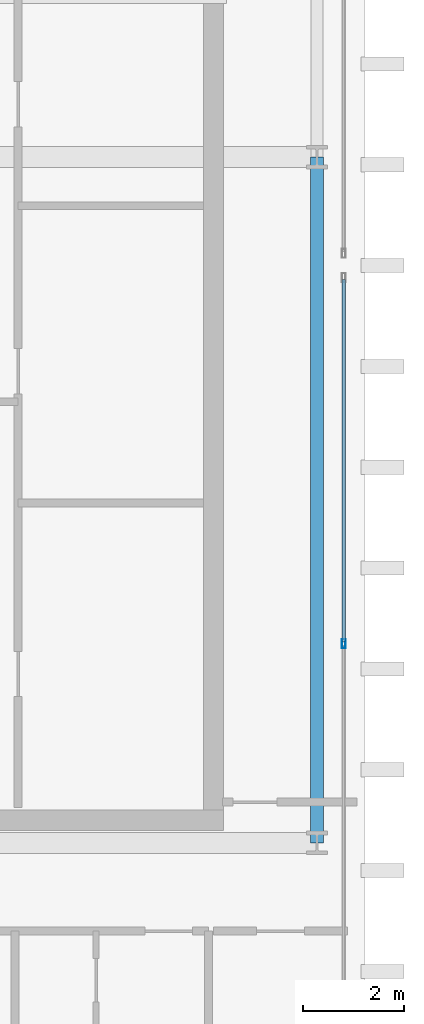
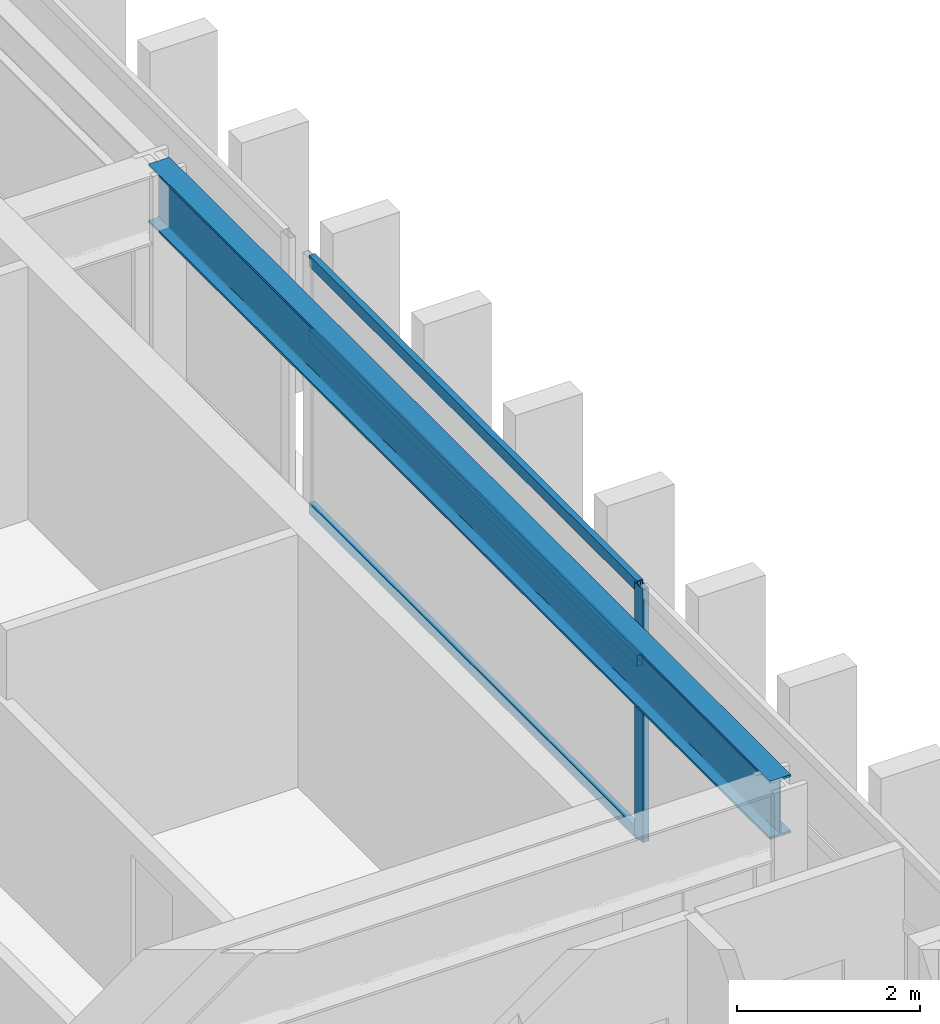
# One storey, part 10 of 25: 4 members, 1 beam, 1 element without a shape of its own.
"""IFC4 building model written with IfcOpenShell, lengths in metres."""

from ifc_helpers import new_model, si_unit, direction, frame, origin, origin_2d, place, context, subcontext, project, spatial, hollow_rectangle, i_section, extrude, source, transform, mapped, material, layer, layer_set, material_profile, profile_set, type_object, element, aggregate, save


model = new_model("IFC4")

# Units and contexts
model_context = context("Model", 3, precision=1e-05, world=origin(), true_north=direction((0.0, 1.0)))
body_context = subcontext(model_context, "Body", "Model", "MODEL_VIEW")
ifc_project = project(units=[si_unit("LENGTHUNIT", "METRE"), si_unit("AREAUNIT", "SQUARE_METRE"), si_unit("VOLUMEUNIT", "CUBIC_METRE"), si_unit("PLANEANGLEUNIT", "RADIAN"), si_unit("MASSUNIT", "GRAM", prefix="KILO")], contexts=[model_context])

# Site, building, storey
site_placement = place(None, origin())
site = spatial("IfcSite", under=ifc_project, at=site_placement, CompositionType="ELEMENT")
building_placement = place(site_placement, origin())
building = spatial("IfcBuilding", under=site, at=building_placement, Name="Ocotamira Hotel", CompositionType="ELEMENT")
storey_placement = place(building_placement, frame((0.0, 0.0, 265.199951171875)))
storey = spatial("IfcBuildingStorey", under=building, at=storey_placement, Name="L67", CompositionType="ELEMENT", Elevation=265.199951171875)

# Beam
ifc_material_1 = material(Name="Steel ASTM A992 Grade 50", Category="steel")
ifc_material_profile_1 = material_profile(ifc_material_1, i_section(OverallWidth=0.26611328125, OverallDepth=0.779052734375, WebThickness=0.0166015625, FlangeThickness=0.030029296875, FilletRadius=0.01806640625, at=origin_2d()), Name="W30X148")
ifc_profile_set_1 = profile_set([ifc_material_profile_1], Name="Steel ASTM A992 Grade 50")
beam_type = type_object("IfcBeamType", Name="BM-GIRD-W30X148", PredefinedType="BEAM", material=ifc_profile_set_1)
shared_shape_1 = source(origin(), body_context, "Body", "SweptSolid", [
    extrude(i_section(OverallWidth=0.26611328125, OverallDepth=0.779052734375, WebThickness=0.0166015625, FlangeThickness=0.030029296875, FilletRadius=0.01806640625, at=origin_2d()), origin(), (0.0, 0.0, 1.0), 13.599853515625),
])
beam_placement = place(storey_placement, frame((55.050048828125, 14.550048828125, 2.990478515625), z_axis=(0.0, 1.0, 0.0), x_axis=(-1.0, 0.0, 0.0)))
element("IfcBeam", 1, at=beam_placement, inside=storey, type_object=beam_type, Name="L67 Beam X55.05 Y14.55-28.15", PredefinedType="BEAM", context=body_context, shape_type="MappedRepresentation", body=[
    mapped(shared_shape_1, transform((0.0, 0.0, 0.0), scale=1.0)),
])

# Curtain wall, members
ifc_material_2 = material(Name="Anodised pale-metal aluminium and solar glass", Category="aluminium")
ifc_layer = layer(ifc_material_2, 0.2099609375)
ifc_layer_set = layer_set([ifc_layer], Name="Anodised pale-metal aluminium and solar glass")
curtain_wall_type = type_object("IfcCurtainWallType", Name="CW-SYS7-PEAK", PredefinedType="NOTDEFINED", material=ifc_layer_set)
curtain_wall_placement = place(storey_placement, origin())
curtain_wall = element("IfcCurtainWall", 2, at=curtain_wall_placement, inside=storey, type_object=curtain_wall_type, Name="L67 Curtain Wall CW-7 CW-L67-EO1", PredefinedType="NOTDEFINED")
ifc_material_3 = material(Name="Anodised pale-metal aluminium 6063-T6", Category="aluminium")
ifc_material_profile_2 = material_profile(ifc_material_3, hollow_rectangle(XDim=0.080078125, YDim=0.179931640625, WallThickness=0.006103515625, at=origin_2d()), Name="HSS180X80X6")
ifc_profile_set_2 = profile_set([ifc_material_profile_2], Name="Anodised pale-metal aluminium 6063-T6")
member_type_1 = type_object("IfcMemberType", Name="CWM-180X75", PredefinedType="MULLION", material=ifc_profile_set_2)
shared_shape_2 = source(origin(), body_context, "Body", "SweptSolid", [
    extrude(hollow_rectangle(XDim=0.080078125, YDim=0.179931640625, WallThickness=0.006103515625, at=origin_2d()), origin(), (0.0, 0.0, 1.0), 3.380126953125),
])
member_1_placement = place(storey_placement, frame((55.580078125, 18.5, 0.0), z_axis=(0.0, 0.0, 1.0), x_axis=(-1.0, 0.0, 0.0)))
member_1 = element("IfcMember", 3, at=member_1_placement, type_object=member_type_1, Name="CW-7 mullion 2", PredefinedType="MULLION", context=body_context, shape_type="MappedRepresentation", body=[
    mapped(shared_shape_2, transform((0.0, 0.0, 0.0), scale=1.0)),
])
ifc_material_profile_3 = material_profile(ifc_material_3, hollow_rectangle(XDim=0.074951171875, YDim=0.14990234375, WallThickness=0.006103515625, at=origin_2d()), Name="HSS150X75X6")
ifc_profile_set_3 = profile_set([ifc_material_profile_3], Name="Anodised pale-metal aluminium 6063-T6")
member_type_2 = type_object("IfcMemberType", Name="CWT-150X75", PredefinedType="USERDEFINED", material=ifc_profile_set_3)
shared_shape_3 = source(origin(), body_context, "Body", "SweptSolid", [
    extrude(hollow_rectangle(XDim=0.074951171875, YDim=0.14990234375, WallThickness=0.006103515625, at=origin_2d()), origin(), (0.0, 0.0, 1.0), 7.179931640625),
])
member_2_placement = place(storey_placement, frame((55.580078125, 18.5400390625, 0.03759765625), z_axis=(0.0, 1.0, 0.0), x_axis=(-1.0, 0.0, 0.0)))
member_2 = element("IfcMember", 4, at=member_2_placement, type_object=member_type_2, Name="CW-7 transom 2.1", ObjectType="TRANSOM", PredefinedType="USERDEFINED", context=body_context, shape_type="MappedRepresentation", body=[
    mapped(shared_shape_3, transform((0.0, 0.0, 0.0), scale=1.0)),
])
member_3_placement = place(storey_placement, frame((55.580078125, 18.5400390625, 2.35009765625), z_axis=(0.0, 1.0, 0.0), x_axis=(-1.0, 0.0, 0.0)))
member_3 = element("IfcMember", 5, at=member_3_placement, type_object=member_type_2, Name="CW-7 transom 2.2", ObjectType="TRANSOM", PredefinedType="USERDEFINED", context=body_context, shape_type="MappedRepresentation", body=[
    mapped(shared_shape_3, transform((0.0, 0.0, 0.0), scale=1.0)),
])
member_4_placement = place(storey_placement, frame((55.580078125, 18.5400390625, 3.342529296875), z_axis=(0.0, 1.0, 0.0), x_axis=(-1.0, 0.0, 0.0)))
member_4 = element("IfcMember", 6, at=member_4_placement, type_object=member_type_2, Name="CW-7 transom 2.3", ObjectType="TRANSOM", PredefinedType="USERDEFINED", context=body_context, shape_type="MappedRepresentation", body=[
    mapped(shared_shape_3, transform((0.0, 0.0, 0.0), scale=1.0)),
])
aggregate(curtain_wall, [member_1, member_2, member_3, member_4])

save(model, "model.ifc")
